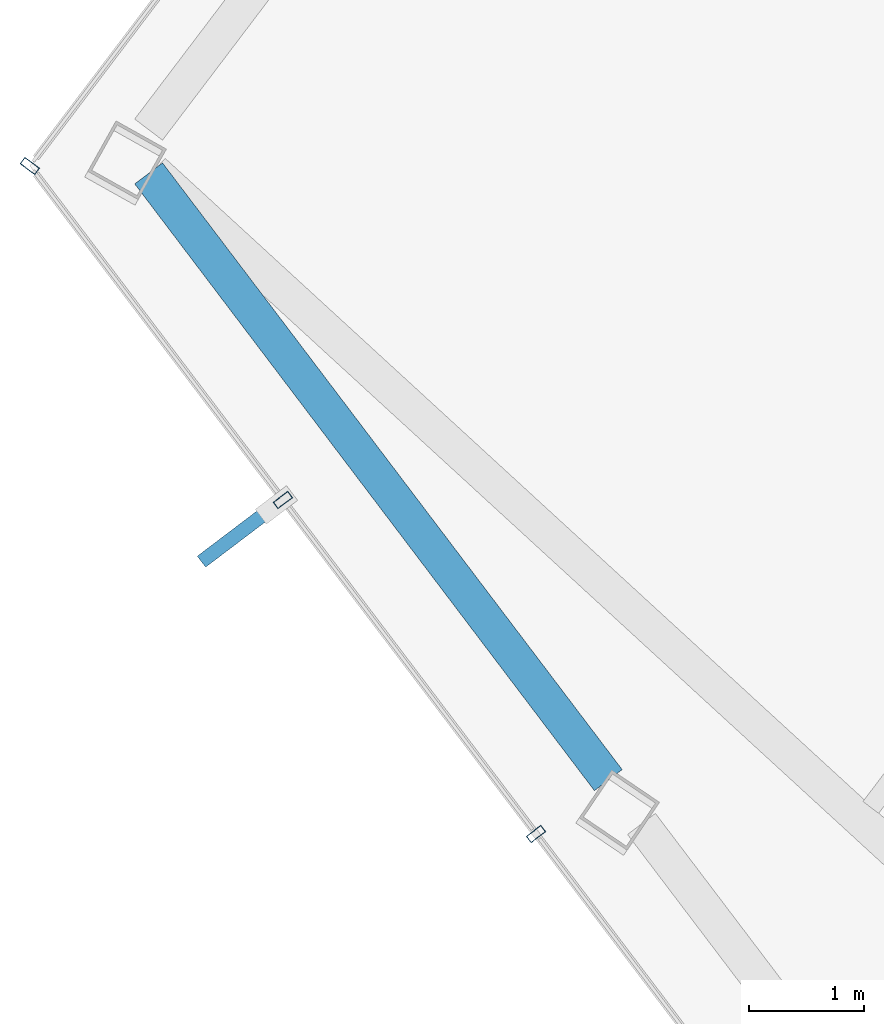
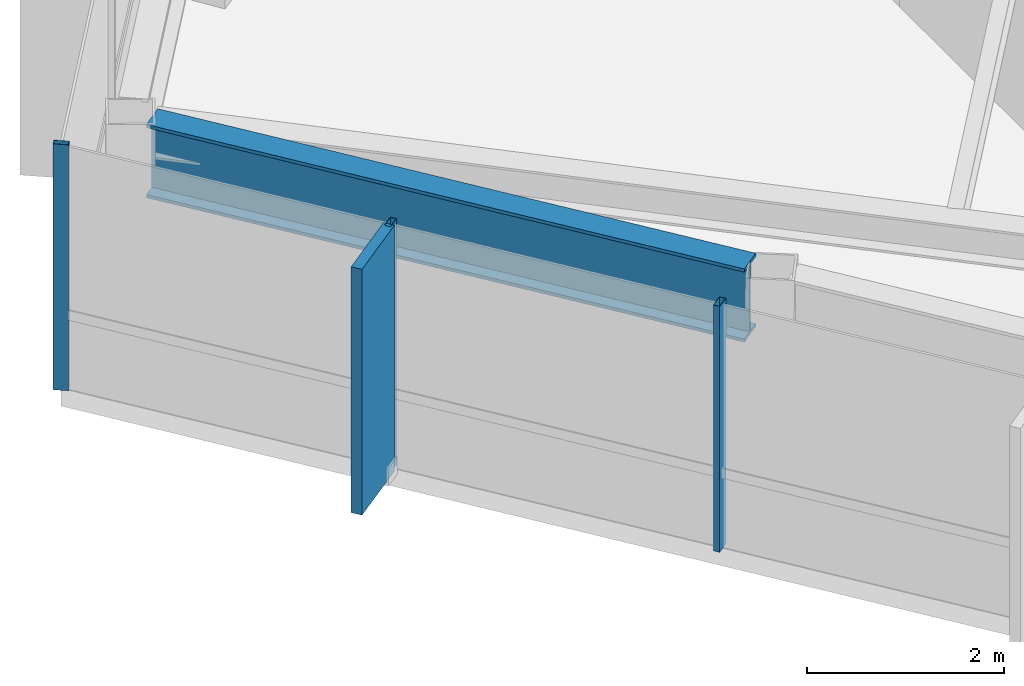
# One storey, part 8 of 24: 4 members, 1 beam, 2 elements without a shape of their own.
"""IFC4 building model written with IfcOpenShell, lengths in metres."""

from ifc_helpers import new_model, si_unit, direction, frame, origin, origin_2d, place, context, subcontext, project, spatial, rectangle, hollow_rectangle, i_section, extrude, material, layer, layer_set, material_profile, profile_set, type_object, element, aggregate, save


model = new_model("IFC4")

# Units and contexts
model_context = context("Model", 3, precision=1e-05, world=origin(), true_north=direction((0.0, 1.0)))
body_context = subcontext(model_context, "Body", "Model", "MODEL_VIEW")
ifc_project = project(units=[si_unit("LENGTHUNIT", "METRE"), si_unit("AREAUNIT", "SQUARE_METRE"), si_unit("VOLUMEUNIT", "CUBIC_METRE"), si_unit("PLANEANGLEUNIT", "RADIAN"), si_unit("MASSUNIT", "GRAM", prefix="KILO")], contexts=[model_context])

# Site, building, storey
site_placement = place(None, origin())
site = spatial("IfcSite", under=ifc_project, at=site_placement, CompositionType="ELEMENT")
building_placement = place(site_placement, origin())
building = spatial("IfcBuilding", under=site, at=building_placement, Name="Zarrinselat Tower", CompositionType="ELEMENT")
storey_placement = place(building_placement, frame((0.0, 0.0, 249.56005859375)))
storey = spatial("IfcBuildingStorey", under=building, at=storey_placement, Name="L63", CompositionType="ELEMENT", Elevation=249.56005859375)

# Beam
ifc_material_1 = material(Name="Steel S460M", Category="steel")
ifc_material_profile_1 = material_profile(ifc_material_1, i_section(OverallWidth=0.302001953125, OverallDepth=0.909912109375, WebThickness=0.02099609375, FlangeThickness=0.0400390625, at=origin_2d()), Name="HEM 900")
ifc_profile_set_1 = profile_set([ifc_material_profile_1], Name="Steel S460M")
beam_type = type_object("IfcBeamType", Name="BM-HEM900", PredefinedType="BEAM", material=ifc_profile_set_1)
beam_placement = place(storey_placement, frame((16.7451171875, 41.889892578125, 2.594970703125), z_axis=(0.603866954272, -0.797085128163, 0.0), x_axis=(0.797085128163, 0.603866954272, 0.0)))
element("IfcBeam", 1, at=beam_placement, inside=storey, type_object=beam_type, Name="L63 Perimeter Spandrel Girder SP06", PredefinedType="BEAM", context=body_context, shape_type="SweptSolid", body=[
    extrude(i_section(OverallWidth=0.302001953125, OverallDepth=0.909912109375, WebThickness=0.02099609375, FlangeThickness=0.0400390625, at=origin_2d()), origin(), (0.0, 0.0, 1.0), 6.594482421875),
])

# Curtain wall, member
ifc_material_2 = material(Name="Extruded Aluminium Alloy EN AW-6063 T6", Category="aluminium")
ifc_layer = layer(ifc_material_2, 0.169921875)
ifc_layer_set = layer_set([ifc_layer], Name="Extruded Aluminium Alloy EN AW-6063 T6")
curtain_wall_type = type_object("IfcCurtainWallType", Name="CWS-RES", PredefinedType="NOTDEFINED", material=ifc_layer_set)
curtain_wall_1_placement = place(storey_placement, origin())
curtain_wall_1 = element("IfcCurtainWall", 2, at=curtain_wall_1_placement, inside=storey, type_object=curtain_wall_type, Name="L63 Unitised Curtain Wall CW-L63-E02", PredefinedType="NOTDEFINED")
ifc_material_3 = material(Name="Extruded Aluminium Alloy EN AW-6063 T6", Category="aluminium")
ifc_material_profile_2 = material_profile(ifc_material_3, hollow_rectangle(XDim=0.070068359375, YDim=0.159912109375, WallThickness=0.00390625, at=origin_2d()), Name="RHS 160x70x4")
ifc_profile_set_2 = profile_set([ifc_material_profile_2], Name="Extruded Aluminium Alloy EN AW-6063 T6")
member_type_1 = type_object("IfcMemberType", Name="MEM-CW-MUL2", PredefinedType="MULLION", material=ifc_profile_set_2)
member_1_placement = place(storey_placement, frame((15.7158203125, 41.954345703125, 0.0), z_axis=(0.0, 0.0, 1.0), x_axis=(-0.603861530965, -0.797089236799, 0.0)))
member_1 = element("IfcMember", 3, at=member_1_placement, type_object=member_type_1, Name="CW-L63-E02 Mullion 2", PredefinedType="MULLION", context=body_context, shape_type="SweptSolid", body=[
    extrude(hollow_rectangle(XDim=0.070068359375, YDim=0.159912109375, WallThickness=0.00390625, at=origin_2d()), origin(), (0.0, 0.0, 1.0), 3.050048828125),
])
aggregate(curtain_wall_1, [member_1])

# Curtain wall, members
curtain_wall_2_placement = place(storey_placement, origin())
curtain_wall_2 = element("IfcCurtainWall", 4, at=curtain_wall_2_placement, inside=storey, type_object=curtain_wall_type, Name="L63 Unitised Curtain Wall CW-L63-E03", PredefinedType="NOTDEFINED")
member_2_placement = place(storey_placement, frame((17.908203125, 39.060302734375, 0.0), z_axis=(0.0, 0.0, 1.0), x_axis=(0.603857290282, -0.797092449452, 0.0)))
member_2 = element("IfcMember", 5, at=member_2_placement, type_object=member_type_1, Name="CW-L63-E03 Mullion 1", PredefinedType="MULLION", context=body_context, shape_type="SweptSolid", body=[
    extrude(hollow_rectangle(XDim=0.070068359375, YDim=0.159912109375, WallThickness=0.00390625, at=origin_2d()), origin(), (0.0, 0.0, 1.0), 3.050048828125),
])
member_3_placement = place(storey_placement, frame((20.1005859375, 36.16650390625, 0.0), z_axis=(0.0, 0.0, 1.0), x_axis=(0.603857290282, -0.797092449452, 0.0)))
member_3 = element("IfcMember", 6, at=member_3_placement, type_object=member_type_1, Name="CW-L63-E03 Mullion 2", PredefinedType="MULLION", context=body_context, shape_type="SweptSolid", body=[
    extrude(hollow_rectangle(XDim=0.070068359375, YDim=0.159912109375, WallThickness=0.00390625, at=origin_2d()), origin(), (0.0, 0.0, 1.0), 3.050048828125),
])
ifc_material_4 = material(Name="Honed Cream Travertine Stone", Category="masonry")
ifc_material_profile_3 = material_profile(ifc_material_4, rectangle(XDim=0.1201171875, YDim=0.85009765625, at=origin_2d()), Name="FIN 850x120")
ifc_profile_set_3 = profile_set([ifc_material_profile_3], Name="Honed Cream Travertine Stone")
member_type_2 = type_object("IfcMemberType", Name="MEM-STONE-FIN", PredefinedType="USERDEFINED", material=ifc_profile_set_3)
member_4_placement = place(storey_placement, frame((17.54150390625, 38.78271484375, 0.0), z_axis=(0.0, 0.0, 1.0), x_axis=(-0.603857290282, 0.797092449452, 0.0)))
member_4 = element("IfcMember", 7, at=member_4_placement, type_object=member_type_2, Name="L63 Stone Shading Fin CW-L63-E03-01", ObjectType="FIN", PredefinedType="USERDEFINED", context=body_context, shape_type="SweptSolid", body=[
    extrude(rectangle(XDim=0.1201171875, YDim=0.85009765625, at=origin_2d()), origin(), (0.0, 0.0, 1.0), 3.050048828125),
])
aggregate(curtain_wall_2, [member_2, member_4, member_3])

save(model, "model.ifc")
